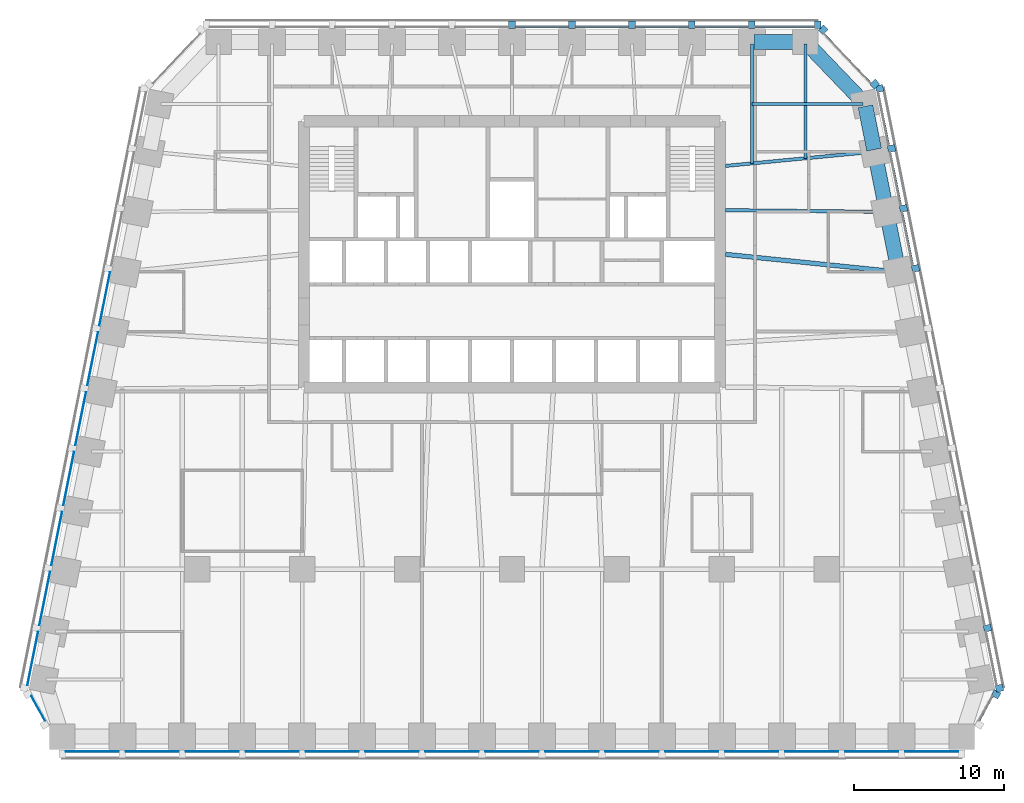
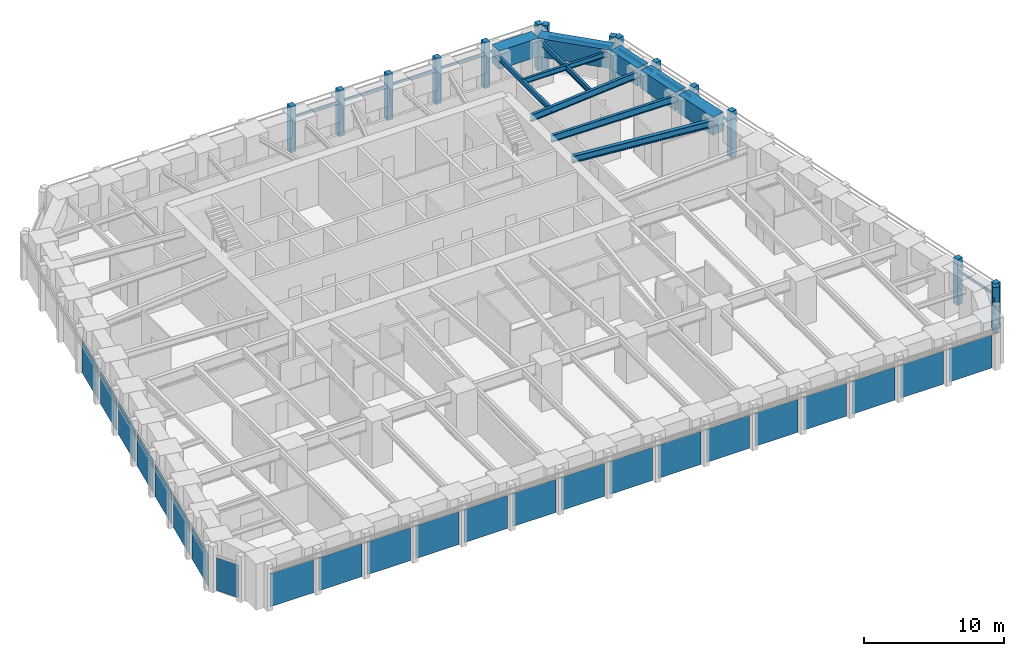
# One storey, part 4 of 10: 26 members, 23 plates, 11 beams, 7 elements without a shape of their own.
"""IFC4 building model written with IfcOpenShell, lengths in metres."""

from ifc_helpers import new_model, si_unit, direction, frame, origin, origin_2d, place, context, subcontext, project, spatial, rectangle, i_section, extrude, material, layer, layer_set, material_profile, profile_set, type_object, element, aggregate, save


model = new_model("IFC4")

# Units and contexts
model_context = context("Model", 3, precision=1e-05, world=origin(), true_north=direction((0.0, 1.0)))
body_context = subcontext(model_context, "Body", "Model", "MODEL_VIEW")
ifc_project = project(units=[si_unit("LENGTHUNIT", "METRE"), si_unit("AREAUNIT", "SQUARE_METRE"), si_unit("VOLUMEUNIT", "CUBIC_METRE"), si_unit("PLANEANGLEUNIT", "RADIAN"), si_unit("MASSUNIT", "GRAM", prefix="KILO")], contexts=[model_context])

# Site, building, storey
site_placement = place(None, origin())
site = spatial("IfcSite", under=ifc_project, at=site_placement, CompositionType="ELEMENT")
building_placement = place(site_placement, origin())
building = spatial("IfcBuilding", under=site, at=building_placement, Name="Isbrekke Arena Tower", CompositionType="ELEMENT")
storey_placement = place(building_placement, frame((0.0, 0.0, 151.0)))
storey = spatial("IfcBuildingStorey", under=building, at=storey_placement, Name="L34", CompositionType="ELEMENT", Elevation=151.0)

# Beams
ifc_material_1 = material(Name="Steel S355", Category="steel")
ifc_material_profile_1 = material_profile(ifc_material_1, i_section(OverallWidth=0.219970703125, OverallDepth=0.60009765625, WebThickness=0.011962890625, FlangeThickness=0.01904296875, FilletRadius=0.02392578125, at=origin_2d()), Name="IPE 600")
ifc_profile_set_1 = profile_set([ifc_material_profile_1], Name="Steel S355")
beam_type_1 = type_object("IfcBeamType", Name="B1 IPE 600", PredefinedType="BEAM", material=ifc_profile_set_1)
beam_1_placement = place(storey_placement, frame((24.83984375, 17.838134765625, 3.550048828125), z_axis=(-0.999944260169, 0.010558245831, 0.0), x_axis=(-0.010558245831, -0.999944260169, 0.0)))
element("IfcBeam", 1, at=beam_1_placement, inside=storey, type_object=beam_type_1, Name="B1 beam E-E09 L34", PredefinedType="BEAM", context=body_context, shape_type="SweptSolid", body=[
    extrude(i_section(OverallWidth=0.219970703125, OverallDepth=0.60009765625, WebThickness=0.011962890625, FlangeThickness=0.01904296875, FilletRadius=0.02392578125, at=origin_2d()), origin(), (0.0, 0.0, 1.0), 10.59033203125),
])
beam_2_placement = place(storey_placement, frame((24.030517578125, 21.837158203125, 3.550048828125), z_axis=(-0.995439798606, -0.095391862082, 0.0), x_axis=(0.095391862082, -0.995439798606, 0.0)))
element("IfcBeam", 2, at=beam_2_placement, inside=storey, type_object=beam_type_1, Name="B1 beam E-E10 L34", PredefinedType="BEAM", context=body_context, shape_type="SweptSolid", body=[
    extrude(i_section(OverallWidth=0.219970703125, OverallDepth=0.60009765625, WebThickness=0.011962890625, FlangeThickness=0.01904296875, FilletRadius=0.02392578125, at=origin_2d()), origin(), (0.0, 0.0, 1.0), 9.825439453125),
])
ifc_material_2 = material(Name="Steel S355", Category="steel")
ifc_material_profile_2 = material_profile(ifc_material_2, i_section(OverallWidth=0.18994140625, OverallDepth=0.449951171875, WebThickness=0.009521484375, FlangeThickness=0.0146484375, FilletRadius=0.02099609375, at=origin_2d()), Name="IPE 450")
ifc_profile_set_2 = profile_set([ifc_material_profile_2], Name="Steel S355")
beam_type_2 = type_object("IfcBeamType", Name="B2 IPE 450", PredefinedType="BEAM", material=ifc_profile_set_2)
beam_3_placement = place(storey_placement, frame((23.40283203125, 25.029296875, 3.625), z_axis=(-1.0, 0.0, 0.0), x_axis=(0.0, -1.0, 0.0)))
element("IfcBeam", 3, at=beam_3_placement, inside=storey, type_object=beam_type_2, Name="B2 beam E-E11 L34", PredefinedType="BEAM", context=body_context, shape_type="SweptSolid", body=[
    extrude(i_section(OverallWidth=0.18994140625, OverallDepth=0.449951171875, WebThickness=0.009521484375, FlangeThickness=0.0146484375, FilletRadius=0.02099609375, at=origin_2d()), origin(), (0.0, 0.0, 1.0), 7.40283203125),
])
ifc_material_3 = material(Name="Steel S355", Category="steel")
ifc_material_profile_3 = material_profile(ifc_material_3, i_section(OverallWidth=0.18994140625, OverallDepth=0.449951171875, WebThickness=0.009521484375, FlangeThickness=0.0146484375, FilletRadius=0.02099609375, at=origin_2d()), Name="IPE 450")
ifc_profile_set_3 = profile_set([ifc_material_profile_3], Name="Steel S355")
beam_type_3 = type_object("IfcBeamType", Name="B3 IPE 450", PredefinedType="BEAM", material=ifc_profile_set_3)
beam_4_placement = place(storey_placement, frame((19.574951171875, 29.02490234375, 3.625), z_axis=(0.0, -1.0, 0.0), x_axis=(1.0, 0.0, 0.0)))
element("IfcBeam", 4, at=beam_4_placement, inside=storey, type_object=beam_type_3, Name="B3 beam N-N01 L34", PredefinedType="BEAM", context=body_context, shape_type="SweptSolid", body=[
    extrude(i_section(OverallWidth=0.18994140625, OverallDepth=0.449951171875, WebThickness=0.009521484375, FlangeThickness=0.0146484375, FilletRadius=0.02099609375, at=origin_2d()), origin(), (0.0, 0.0, 1.0), 7.61474609375),
])
beam_5_placement = place(storey_placement, frame((16.0, 29.02490234375, 3.625), z_axis=(0.0, -1.0, 0.0), x_axis=(1.0, 0.0, 0.0)))
element("IfcBeam", 5, at=beam_5_placement, inside=storey, type_object=beam_type_3, Name="B3 beam N-N02 L34", PredefinedType="BEAM", context=body_context, shape_type="SweptSolid", body=[
    extrude(i_section(OverallWidth=0.18994140625, OverallDepth=0.449951171875, WebThickness=0.009521484375, FlangeThickness=0.0146484375, FilletRadius=0.02099609375, at=origin_2d()), origin(), (0.0, 0.0, 1.0), 7.957275390625),
])
ifc_material_4 = material(Name="Steel S355", Category="steel")
ifc_material_profile_4 = material_profile(ifc_material_4, i_section(OverallWidth=0.300048828125, OverallDepth=0.60009765625, WebThickness=0.015380859375, FlangeThickness=0.030029296875, FilletRadius=0.027099609375, at=origin_2d()), Name="HEB 600")
ifc_profile_set_4 = profile_set([ifc_material_profile_4], Name="Steel S355")
beam_type_4 = type_object("IfcBeamType", Name="B7 HEB 600", PredefinedType="BEAM", material=ifc_profile_set_4)
beam_6_placement = place(storey_placement, frame((25.6259765625, 13.83984375, 3.550048828125), z_axis=(-0.994839949319, 0.10145676537, 0.0), x_axis=(-0.10145676537, -0.994839949319, 0.0)))
element("IfcBeam", 6, at=beam_6_placement, inside=storey, type_object=beam_type_4, Name="B7 beam E-E08 L34", PredefinedType="BEAM", context=body_context, shape_type="SweptSolid", body=[
    extrude(i_section(OverallWidth=0.300048828125, OverallDepth=0.60009765625, WebThickness=0.015380859375, FlangeThickness=0.030029296875, FilletRadius=0.027099609375, at=origin_2d()), origin(), (0.0, 0.0, 1.0), 11.43505859375),
])

# Curtain wall, member
ifc_material_5 = material(Name="Glazed aluminium curtain wall", Category="aluminium")
curtain_wall_type = type_object("IfcCurtainWallType", Name="CWM TOWER CURTAIN WALL MID ZONE", PredefinedType="USERDEFINED", material=ifc_material_5)
curtain_wall_1_placement = place(storey_placement, origin())
curtain_wall_1 = element("IfcCurtainWall", 7, at=curtain_wall_1_placement, inside=storey, type_object=curtain_wall_type, Name="CWM curtain wall L34-SE", ObjectType="TOWER CURTAIN WALL MID ZONE", PredefinedType="USERDEFINED")
ifc_material_6 = material(Name="Aluminium mullion, pale brick slip cladding", Category="masonry")
ifc_material_profile_5 = material_profile(ifc_material_6, rectangle(XDim=0.449951171875, YDim=0.5, at=origin_2d()), Name="PIER 450X500")
ifc_profile_set_5 = profile_set([ifc_material_profile_5], Name="Aluminium mullion, pale brick slip cladding")
member_type_1 = type_object("IfcMemberType", Name="CWM-M PIER MULLION 450 x 500", PredefinedType="MULLION", material=ifc_profile_set_5)
member_1_placement = place(storey_placement, frame((32.296142578125, -14.34375, 0.0), z_axis=(0.0, 0.0, 1.0), x_axis=(0.481918749773, 0.876215908676, 0.0)))
member_1 = element("IfcMember", 8, at=member_1_placement, type_object=member_type_1, Name="CWM-M mullion 2", PredefinedType="MULLION", context=body_context, shape_type="SweptSolid", body=[
    extrude(rectangle(XDim=0.449951171875, YDim=0.5, at=origin_2d()), origin(), (0.0, 0.0, 1.0), 4.0),
])

# Curtain wall, members
curtain_wall_2_placement = place(storey_placement, origin())
curtain_wall_2 = element("IfcCurtainWall", 9, at=curtain_wall_2_placement, inside=storey, type_object=curtain_wall_type, Name="CWM curtain wall L34-E", ObjectType="TOWER CURTAIN WALL MID ZONE", PredefinedType="USERDEFINED")
member_2_placement = place(storey_placement, frame((32.518798828125, -13.936279296875, 0.0), z_axis=(0.0, 0.0, 1.0), x_axis=(-0.196116135138, 0.980580675691, 0.0)))
member_2 = element("IfcMember", 10, at=member_2_placement, type_object=member_type_1, Name="CWM-M mullion 1", PredefinedType="MULLION", context=body_context, shape_type="SweptSolid", body=[
    extrude(rectangle(XDim=0.449951171875, YDim=0.5, at=origin_2d()), origin(), (0.0, 0.0, 1.0), 4.0),
])
member_3_placement = place(storey_placement, frame((31.71875, -9.936279296875, 0.0), z_axis=(0.0, 0.0, 1.0), x_axis=(-0.196116135138, 0.980580675691, 0.0)))
member_3 = element("IfcMember", 11, at=member_3_placement, type_object=member_type_1, Name="CWM-M mullion 2", PredefinedType="MULLION", context=body_context, shape_type="SweptSolid", body=[
    extrude(rectangle(XDim=0.449951171875, YDim=0.5, at=origin_2d()), origin(), (0.0, 0.0, 1.0), 4.0),
])
member_4_placement = place(storey_placement, frame((26.918701171875, 14.063720703125, 0.0), z_axis=(0.0, 0.0, 1.0), x_axis=(-0.196116135138, 0.980580675691, 0.0)))
member_4 = element("IfcMember", 12, at=member_4_placement, type_object=member_type_1, Name="CWM-M mullion 8", PredefinedType="MULLION", context=body_context, shape_type="SweptSolid", body=[
    extrude(rectangle(XDim=0.449951171875, YDim=0.5, at=origin_2d()), origin(), (0.0, 0.0, 1.0), 4.0),
])
member_5_placement = place(storey_placement, frame((26.11865234375, 18.063720703125, 0.0), z_axis=(0.0, 0.0, 1.0), x_axis=(-0.196116135138, 0.980580675691, 0.0)))
member_5 = element("IfcMember", 13, at=member_5_placement, type_object=member_type_1, Name="CWM-M mullion 9", PredefinedType="MULLION", context=body_context, shape_type="SweptSolid", body=[
    extrude(rectangle(XDim=0.449951171875, YDim=0.5, at=origin_2d()), origin(), (0.0, 0.0, 1.0), 4.0),
])
member_6_placement = place(storey_placement, frame((25.318603515625, 22.063720703125, 0.0), z_axis=(0.0, 0.0, 1.0), x_axis=(-0.196116135138, 0.980580675691, 0.0)))
member_6 = element("IfcMember", 14, at=member_6_placement, type_object=member_type_1, Name="CWM-M mullion 10", PredefinedType="MULLION", context=body_context, shape_type="SweptSolid", body=[
    extrude(rectangle(XDim=0.449951171875, YDim=0.5, at=origin_2d()), origin(), (0.0, 0.0, 1.0), 4.0),
])
member_7_placement = place(storey_placement, frame((24.518798828125, 26.063720703125, 0.0), z_axis=(0.0, 0.0, 1.0), x_axis=(-0.196116135138, 0.980580675691, 0.0)))
member_7 = element("IfcMember", 15, at=member_7_placement, type_object=member_type_1, Name="CWM-M mullion 11", PredefinedType="MULLION", context=body_context, shape_type="SweptSolid", body=[
    extrude(rectangle(XDim=0.449951171875, YDim=0.5, at=origin_2d()), origin(), (0.0, 0.0, 1.0), 4.0),
])

curtain_wall_3_placement = place(storey_placement, origin())
curtain_wall_3 = element("IfcCurtainWall", 16, at=curtain_wall_3_placement, inside=storey, type_object=curtain_wall_type, Name="CWM curtain wall L34-EN", ObjectType="TOWER CURTAIN WALL MID ZONE", PredefinedType="USERDEFINED")
member_8_placement = place(storey_placement, frame((24.208251953125, 26.354248046875, 0.0), z_axis=(0.0, 0.0, 1.0), x_axis=(-0.68874946192, 0.72499943359, 0.0)))
member_8 = element("IfcMember", 17, at=member_8_placement, type_object=member_type_1, Name="CWM-M mullion 1", PredefinedType="MULLION", context=body_context, shape_type="SweptSolid", body=[
    extrude(rectangle(XDim=0.449951171875, YDim=0.5, at=origin_2d()), origin(), (0.0, 0.0, 1.0), 4.0),
])
member_9_placement = place(storey_placement, frame((20.7587890625, 29.9853515625, 0.0), z_axis=(0.0, 0.0, 1.0), x_axis=(-0.68874946192, 0.72499943359, 0.0)))
member_9 = element("IfcMember", 18, at=member_9_placement, type_object=member_type_1, Name="CWM-M mullion 2", PredefinedType="MULLION", context=body_context, shape_type="SweptSolid", body=[
    extrude(rectangle(XDim=0.449951171875, YDim=0.5, at=origin_2d()), origin(), (0.0, 0.0, 1.0), 4.0),
])

curtain_wall_4_placement = place(storey_placement, origin())
curtain_wall_4 = element("IfcCurtainWall", 19, at=curtain_wall_4_placement, inside=storey, type_object=curtain_wall_type, Name="CWM curtain wall L34-N", ObjectType="TOWER CURTAIN WALL MID ZONE", PredefinedType="USERDEFINED")
member_10_placement = place(storey_placement, frame((20.39990234375, 30.324951171875, 0.0), z_axis=(0.0, 0.0, 1.0), x_axis=(-1.0, 0.0, 0.0)))
member_10 = element("IfcMember", 20, at=member_10_placement, type_object=member_type_1, Name="CWM-M mullion 1", PredefinedType="MULLION", context=body_context, shape_type="SweptSolid", body=[
    extrude(rectangle(XDim=0.449951171875, YDim=0.5, at=origin_2d()), origin(), (0.0, 0.0, 1.0), 4.0),
])
member_11_placement = place(storey_placement, frame((16.0, 30.324951171875, 0.0), z_axis=(0.0, 0.0, 1.0), x_axis=(-1.0, 0.0, 0.0)))
member_11 = element("IfcMember", 21, at=member_11_placement, type_object=member_type_1, Name="CWM-M mullion 2", PredefinedType="MULLION", context=body_context, shape_type="SweptSolid", body=[
    extrude(rectangle(XDim=0.449951171875, YDim=0.5, at=origin_2d()), origin(), (0.0, 0.0, 1.0), 4.0),
])
member_12_placement = place(storey_placement, frame((12.0, 30.324951171875, 0.0), z_axis=(0.0, 0.0, 1.0), x_axis=(-1.0, 0.0, 0.0)))
member_12 = element("IfcMember", 22, at=member_12_placement, type_object=member_type_1, Name="CWM-M mullion 3", PredefinedType="MULLION", context=body_context, shape_type="SweptSolid", body=[
    extrude(rectangle(XDim=0.449951171875, YDim=0.5, at=origin_2d()), origin(), (0.0, 0.0, 1.0), 4.0),
])
member_13_placement = place(storey_placement, frame((8.0, 30.324951171875, 0.0), z_axis=(0.0, 0.0, 1.0), x_axis=(-1.0, 0.0, 0.0)))
member_13 = element("IfcMember", 23, at=member_13_placement, type_object=member_type_1, Name="CWM-M mullion 4", PredefinedType="MULLION", context=body_context, shape_type="SweptSolid", body=[
    extrude(rectangle(XDim=0.449951171875, YDim=0.5, at=origin_2d()), origin(), (0.0, 0.0, 1.0), 4.0),
])
member_14_placement = place(storey_placement, frame((4.0, 30.324951171875, 0.0), z_axis=(0.0, 0.0, 1.0), x_axis=(-1.0, 0.0, 0.0)))
member_14 = element("IfcMember", 24, at=member_14_placement, type_object=member_type_1, Name="CWM-M mullion 5", PredefinedType="MULLION", context=body_context, shape_type="SweptSolid", body=[
    extrude(rectangle(XDim=0.449951171875, YDim=0.5, at=origin_2d()), origin(), (0.0, 0.0, 1.0), 4.0),
])
member_15_placement = place(storey_placement, frame((0.0, 30.324951171875, 0.0), z_axis=(0.0, 0.0, 1.0), x_axis=(-1.0, 0.0, 0.0)))
member_15 = element("IfcMember", 25, at=member_15_placement, type_object=member_type_1, Name="CWM-M mullion 6", PredefinedType="MULLION", context=body_context, shape_type="SweptSolid", body=[
    extrude(rectangle(XDim=0.449951171875, YDim=0.5, at=origin_2d()), origin(), (0.0, 0.0, 1.0), 4.0),
])

# Member
ifc_material_7 = material(Name="Aluminium transom", Category="aluminium")
ifc_material_profile_6 = material_profile(ifc_material_7, rectangle(XDim=0.1201171875, YDim=0.199951171875, at=origin_2d()), Name="TRANSOM 120X200")
ifc_profile_set_6 = profile_set([ifc_material_profile_6], Name="Aluminium transom")
member_type_2 = type_object("IfcMemberType", Name="CWM-T TRANSOM 120 x 200", PredefinedType="USERDEFINED", material=ifc_profile_set_6)
member_16_placement = place(storey_placement, frame((31.152099609375, -16.112548828125, 3.0), z_axis=(0.482003669577, 0.876169197424, 0.0), x_axis=(-0.876169197424, 0.482003669577, 0.0)))
member_16 = element("IfcMember", 26, at=member_16_placement, type_object=member_type_2, Name="CWM-T transom 1", ObjectType="TRANSOM", PredefinedType="USERDEFINED", context=body_context, shape_type="SweptSolid", body=[
    extrude(rectangle(XDim=0.1201171875, YDim=0.199951171875, at=origin_2d()), origin(), (0.0, 0.0, 1.0), 1.876220703125),
])

aggregate(curtain_wall_1, [member_1, member_16])

member_17_placement = place(storey_placement, frame((32.327392578125, -13.7451171875, 3.0), z_axis=(-0.196090262229, 0.980585849918, 0.0), x_axis=(-0.980585849918, -0.196090262229, 0.0)))
member_17 = element("IfcMember", 27, at=member_17_placement, type_object=member_type_2, Name="CWM-T transom 1", ObjectType="TRANSOM", PredefinedType="USERDEFINED", context=body_context, shape_type="SweptSolid", body=[
    extrude(rectangle(XDim=0.1201171875, YDim=0.199951171875, at=origin_2d()), origin(), (0.0, 0.0, 1.0), 3.62939453125),
])

member_18_placement = place(storey_placement, frame((26.7275390625, 14.2548828125, 3.0), z_axis=(-0.196154943734, 0.980572913173, 0.0), x_axis=(-0.980572913173, -0.196154943734, 0.0)))
member_18 = element("IfcMember", 28, at=member_18_placement, type_object=member_type_2, Name="CWM-T transom 8", ObjectType="TRANSOM", PredefinedType="USERDEFINED", context=body_context, shape_type="SweptSolid", body=[
    extrude(rectangle(XDim=0.1201171875, YDim=0.199951171875, at=origin_2d()), origin(), (0.0, 0.0, 1.0), 3.62939453125),
])

member_19_placement = place(storey_placement, frame((25.927490234375, 18.2548828125, 3.0), z_axis=(-0.196090262229, 0.980585849918, 0.0), x_axis=(-0.980585849918, -0.196090262229, 0.0)))
member_19 = element("IfcMember", 29, at=member_19_placement, type_object=member_type_2, Name="CWM-T transom 9", ObjectType="TRANSOM", PredefinedType="USERDEFINED", context=body_context, shape_type="SweptSolid", body=[
    extrude(rectangle(XDim=0.1201171875, YDim=0.199951171875, at=origin_2d()), origin(), (0.0, 0.0, 1.0), 3.62939453125),
])

member_20_placement = place(storey_placement, frame((25.12744140625, 22.2548828125, 3.0), z_axis=(-0.196090262229, 0.980585849918, 0.0), x_axis=(-0.980585849918, -0.196090262229, 0.0)))
member_20 = element("IfcMember", 30, at=member_20_placement, type_object=member_type_2, Name="CWM-T transom 10", ObjectType="TRANSOM", PredefinedType="USERDEFINED", context=body_context, shape_type="SweptSolid", body=[
    extrude(rectangle(XDim=0.1201171875, YDim=0.199951171875, at=origin_2d()), origin(), (0.0, 0.0, 1.0), 3.62939453125),
])

aggregate(curtain_wall_2, [member_2, member_3, member_4, member_5, member_6, member_7, member_17, member_18, member_19, member_20])

member_21_placement = place(storey_placement, frame((23.944580078125, 26.4140625, 3.0), z_axis=(-0.688771983213, 0.724978037696, 0.0), x_axis=(-0.724978037696, -0.688771983213, 0.0)))
member_21 = element("IfcMember", 31, at=member_21_placement, type_object=member_type_2, Name="CWM-T transom 1", ObjectType="TRANSOM", PredefinedType="USERDEFINED", context=body_context, shape_type="SweptSolid", body=[
    extrude(rectangle(XDim=0.1201171875, YDim=0.199951171875, at=origin_2d()), origin(), (0.0, 0.0, 1.0), 4.558349609375),
])

aggregate(curtain_wall_3, [member_8, member_9, member_21])

member_22_placement = place(storey_placement, frame((20.175048828125, 30.175048828125, 3.0), z_axis=(-1.0, 0.0, 0.0), x_axis=(0.0, -1.0, 0.0)))
member_22 = element("IfcMember", 32, at=member_22_placement, type_object=member_type_2, Name="CWM-T transom 1", ObjectType="TRANSOM", PredefinedType="USERDEFINED", context=body_context, shape_type="SweptSolid", body=[
    extrude(rectangle(XDim=0.1201171875, YDim=0.199951171875, at=origin_2d()), origin(), (0.0, 0.0, 1.0), 3.949951171875),
])

member_23_placement = place(storey_placement, frame((15.77490234375, 30.175048828125, 3.0), z_axis=(-1.0, 0.0, 0.0), x_axis=(0.0, -1.0, 0.0)))
member_23 = element("IfcMember", 33, at=member_23_placement, type_object=member_type_2, Name="CWM-T transom 2", ObjectType="TRANSOM", PredefinedType="USERDEFINED", context=body_context, shape_type="SweptSolid", body=[
    extrude(rectangle(XDim=0.1201171875, YDim=0.199951171875, at=origin_2d()), origin(), (0.0, 0.0, 1.0), 3.5498046875),
])

member_24_placement = place(storey_placement, frame((11.77490234375, 30.175048828125, 3.0), z_axis=(-1.0, 0.0, 0.0), x_axis=(0.0, -1.0, 0.0)))
member_24 = element("IfcMember", 34, at=member_24_placement, type_object=member_type_2, Name="CWM-T transom 3", ObjectType="TRANSOM", PredefinedType="USERDEFINED", context=body_context, shape_type="SweptSolid", body=[
    extrude(rectangle(XDim=0.1201171875, YDim=0.199951171875, at=origin_2d()), origin(), (0.0, 0.0, 1.0), 3.5498046875),
])

member_25_placement = place(storey_placement, frame((7.77490234375, 30.175048828125, 3.0), z_axis=(-1.0, 0.0, 0.0), x_axis=(0.0, -1.0, 0.0)))
member_25 = element("IfcMember", 35, at=member_25_placement, type_object=member_type_2, Name="CWM-T transom 4", ObjectType="TRANSOM", PredefinedType="USERDEFINED", context=body_context, shape_type="SweptSolid", body=[
    extrude(rectangle(XDim=0.1201171875, YDim=0.199951171875, at=origin_2d()), origin(), (0.0, 0.0, 1.0), 3.5498046875),
])

member_26_placement = place(storey_placement, frame((3.77490234375, 30.175048828125, 3.0), z_axis=(-1.0, 0.0, 0.0), x_axis=(0.0, -1.0, 0.0)))
member_26 = element("IfcMember", 36, at=member_26_placement, type_object=member_type_2, Name="CWM-T transom 5", ObjectType="TRANSOM", PredefinedType="USERDEFINED", context=body_context, shape_type="SweptSolid", body=[
    extrude(rectangle(XDim=0.1201171875, YDim=0.199951171875, at=origin_2d()), origin(), (0.0, 0.0, 1.0), 3.5498046875),
])

aggregate(curtain_wall_4, [member_10, member_11, member_12, member_13, member_14, member_15, member_22, member_23, member_24, member_25, member_26])

# Beams
ifc_material_8 = material(Name="Concrete B80 (C80/95)", Category="concrete")
ifc_material_profile_7 = material_profile(ifc_material_8, rectangle(XDim=1.0, YDim=1.60009765625, at=origin_2d()), Name="RC 1000x1600")
ifc_profile_set_7 = profile_set([ifc_material_profile_7], Name="Concrete B80 (C80/95)")
beam_type_5 = type_object("IfcBeamType", Name="SB2 RC 1000 x 1600", PredefinedType="SPANDREL", material=ifc_profile_set_7)
for number, where, z_axis, x_axis, name in (
    (37, (25.76171875, 13.9853515625, 3.199951171875), (-0.196128558387, 0.980578190959, 0.0), (-0.980578190959, -0.196128558387, 0.0), "SB2 spandrel E08-E09 L34"),
    (38, (24.961669921875, 17.9853515625, 3.199951171875), (-0.196128558387, 0.980578190959, 0.0), (-0.980578190959, -0.196128558387, 0.0), "SB2 spandrel E09-E10 L34"),
):
    element("IfcBeam", number, at=place(storey_placement, frame(where, z_axis=z_axis, x_axis=x_axis)), inside=storey, type_object=beam_type_5, Name=name, PredefinedType="SPANDREL", context=body_context, shape_type="SweptSolid", body=[
        extrude(rectangle(XDim=1.0, YDim=1.60009765625, at=origin_2d()), origin(), (0.0, 0.0, 1.0), 3.779296875),
    ])
beam_7_placement = place(storey_placement, frame((24.16162109375, 21.9853515625, 3.199951171875), z_axis=(-0.196116135138, 0.980580675691, 0.0), x_axis=(-0.980580675691, -0.196116135138, 0.0)))
element("IfcBeam", 39, at=beam_7_placement, inside=storey, type_object=beam_type_5, Name="SB2 spandrel E10-E11 L34", PredefinedType="SPANDREL", context=body_context, shape_type="SweptSolid", body=[
    extrude(rectangle(XDim=1.0, YDim=1.60009765625, at=origin_2d()), origin(), (0.0, 0.0, 1.0), 2.9541015625),
])
beam_8_placement = place(storey_placement, frame((23.448974609375, 25.137451171875, 3.199951171875), z_axis=(-0.692339547635, 0.721571861134, 0.0), x_axis=(-0.721571861134, -0.692339547635, 0.0)))
element("IfcBeam", 40, at=beam_8_placement, inside=storey, type_object=beam_type_5, Name="SB2 spandrel E11-N01 L34", PredefinedType="SPANDREL", context=body_context, shape_type="SweptSolid", body=[
    extrude(rectangle(XDim=1.0, YDim=1.60009765625, at=origin_2d()), origin(), (0.0, 0.0, 1.0), 5.4453125),
])
beam_9_placement = place(storey_placement, frame((19.425048828125, 29.175048828125, 3.199951171875), z_axis=(-1.0, 0.0, 0.0), x_axis=(0.0, -1.0, 0.0)))
element("IfcBeam", 41, at=beam_9_placement, inside=storey, type_object=beam_type_5, Name="SB2 spandrel N01-N02 L34", PredefinedType="SPANDREL", context=body_context, shape_type="SweptSolid", body=[
    extrude(rectangle(XDim=1.0, YDim=1.60009765625, at=origin_2d()), origin(), (0.0, 0.0, 1.0), 3.275146484375),
])

# Curtain wall, plates
curtain_wall_5_placement = place(storey_placement, origin())
curtain_wall_5 = element("IfcCurtainWall", 42, at=curtain_wall_5_placement, inside=storey, type_object=curtain_wall_type, Name="CWM curtain wall L34-S", ObjectType="TOWER CURTAIN WALL MID ZONE", PredefinedType="USERDEFINED")
ifc_material_9 = material(Name="Triple-glazed clear glass unit", Category="glass")
ifc_layer = layer(ifc_material_9, 0.031982421875)
ifc_layer_set = layer_set([ifc_layer], Name="CWM-P VISION PANEL")
plate_type = type_object("IfcPlateType", Name="CWM-P VISION PANEL", PredefinedType="CURTAIN_PANEL", material=ifc_layer_set)
plate_1_placement = place(storey_placement, frame((-28.0, -18.175048828125, 0.02001953125), z_axis=(0.0, 0.0, 1.0), x_axis=(1.0, 0.0, 0.0)))
plate_1 = element("IfcPlate", 43, at=plate_1_placement, type_object=plate_type, Name="CWM-P panel 1", PredefinedType="CURTAIN_PANEL", context=body_context, shape_type="SweptSolid", body=[
    extrude(rectangle(XDim=3.550048828125, YDim=0.031982421875, at=origin_2d()), origin(), (0.0, 0.0, 1.0), 2.8798828125),
])
plate_2_placement = place(storey_placement, frame((-24.0, -18.175048828125, 0.02001953125), z_axis=(0.0, 0.0, 1.0), x_axis=(1.0, 0.0, 0.0)))
plate_2 = element("IfcPlate", 44, at=plate_2_placement, type_object=plate_type, Name="CWM-P panel 2", PredefinedType="CURTAIN_PANEL", context=body_context, shape_type="SweptSolid", body=[
    extrude(rectangle(XDim=3.550048828125, YDim=0.031982421875, at=origin_2d()), origin(), (0.0, 0.0, 1.0), 2.8798828125),
])
plate_3_placement = place(storey_placement, frame((-20.0, -18.175048828125, 0.02001953125), z_axis=(0.0, 0.0, 1.0), x_axis=(1.0, 0.0, 0.0)))
plate_3 = element("IfcPlate", 45, at=plate_3_placement, type_object=plate_type, Name="CWM-P panel 3", PredefinedType="CURTAIN_PANEL", context=body_context, shape_type="SweptSolid", body=[
    extrude(rectangle(XDim=3.550048828125, YDim=0.031982421875, at=origin_2d()), origin(), (0.0, 0.0, 1.0), 2.8798828125),
])
plate_4_placement = place(storey_placement, frame((-16.0, -18.175048828125, 0.02001953125), z_axis=(0.0, 0.0, 1.0), x_axis=(1.0, 0.0, 0.0)))
plate_4 = element("IfcPlate", 46, at=plate_4_placement, type_object=plate_type, Name="CWM-P panel 4", PredefinedType="CURTAIN_PANEL", context=body_context, shape_type="SweptSolid", body=[
    extrude(rectangle(XDim=3.550048828125, YDim=0.031982421875, at=origin_2d()), origin(), (0.0, 0.0, 1.0), 2.8798828125),
])
plate_5_placement = place(storey_placement, frame((-12.0, -18.175048828125, 0.02001953125), z_axis=(0.0, 0.0, 1.0), x_axis=(1.0, 0.0, 0.0)))
plate_5 = element("IfcPlate", 47, at=plate_5_placement, type_object=plate_type, Name="CWM-P panel 5", PredefinedType="CURTAIN_PANEL", context=body_context, shape_type="SweptSolid", body=[
    extrude(rectangle(XDim=3.550048828125, YDim=0.031982421875, at=origin_2d()), origin(), (0.0, 0.0, 1.0), 2.8798828125),
])
plate_6_placement = place(storey_placement, frame((-8.0, -18.175048828125, 0.02001953125), z_axis=(0.0, 0.0, 1.0), x_axis=(1.0, 0.0, 0.0)))
plate_6 = element("IfcPlate", 48, at=plate_6_placement, type_object=plate_type, Name="CWM-P panel 6", PredefinedType="CURTAIN_PANEL", context=body_context, shape_type="SweptSolid", body=[
    extrude(rectangle(XDim=3.550048828125, YDim=0.031982421875, at=origin_2d()), origin(), (0.0, 0.0, 1.0), 2.8798828125),
])
plate_7_placement = place(storey_placement, frame((-4.0, -18.175048828125, 0.02001953125), z_axis=(0.0, 0.0, 1.0), x_axis=(1.0, 0.0, 0.0)))
plate_7 = element("IfcPlate", 49, at=plate_7_placement, type_object=plate_type, Name="CWM-P panel 7", PredefinedType="CURTAIN_PANEL", context=body_context, shape_type="SweptSolid", body=[
    extrude(rectangle(XDim=3.550048828125, YDim=0.031982421875, at=origin_2d()), origin(), (0.0, 0.0, 1.0), 2.8798828125),
])
plate_8_placement = place(storey_placement, frame((0.0, -18.175048828125, 0.02001953125), z_axis=(0.0, 0.0, 1.0), x_axis=(1.0, 0.0, 0.0)))
plate_8 = element("IfcPlate", 50, at=plate_8_placement, type_object=plate_type, Name="CWM-P panel 8", PredefinedType="CURTAIN_PANEL", context=body_context, shape_type="SweptSolid", body=[
    extrude(rectangle(XDim=3.550048828125, YDim=0.031982421875, at=origin_2d()), origin(), (0.0, 0.0, 1.0), 2.8798828125),
])
plate_9_placement = place(storey_placement, frame((4.0, -18.175048828125, 0.02001953125), z_axis=(0.0, 0.0, 1.0), x_axis=(1.0, 0.0, 0.0)))
plate_9 = element("IfcPlate", 51, at=plate_9_placement, type_object=plate_type, Name="CWM-P panel 9", PredefinedType="CURTAIN_PANEL", context=body_context, shape_type="SweptSolid", body=[
    extrude(rectangle(XDim=3.550048828125, YDim=0.031982421875, at=origin_2d()), origin(), (0.0, 0.0, 1.0), 2.8798828125),
])
plate_10_placement = place(storey_placement, frame((8.0, -18.175048828125, 0.02001953125), z_axis=(0.0, 0.0, 1.0), x_axis=(1.0, 0.0, 0.0)))
plate_10 = element("IfcPlate", 52, at=plate_10_placement, type_object=plate_type, Name="CWM-P panel 10", PredefinedType="CURTAIN_PANEL", context=body_context, shape_type="SweptSolid", body=[
    extrude(rectangle(XDim=3.550048828125, YDim=0.031982421875, at=origin_2d()), origin(), (0.0, 0.0, 1.0), 2.8798828125),
])
plate_11_placement = place(storey_placement, frame((12.0, -18.175048828125, 0.02001953125), z_axis=(0.0, 0.0, 1.0), x_axis=(1.0, 0.0, 0.0)))
plate_11 = element("IfcPlate", 53, at=plate_11_placement, type_object=plate_type, Name="CWM-P panel 11", PredefinedType="CURTAIN_PANEL", context=body_context, shape_type="SweptSolid", body=[
    extrude(rectangle(XDim=3.550048828125, YDim=0.031982421875, at=origin_2d()), origin(), (0.0, 0.0, 1.0), 2.8798828125),
])
plate_12_placement = place(storey_placement, frame((16.0, -18.175048828125, 0.02001953125), z_axis=(0.0, 0.0, 1.0), x_axis=(1.0, 0.0, 0.0)))
plate_12 = element("IfcPlate", 54, at=plate_12_placement, type_object=plate_type, Name="CWM-P panel 12", PredefinedType="CURTAIN_PANEL", context=body_context, shape_type="SweptSolid", body=[
    extrude(rectangle(XDim=3.550048828125, YDim=0.031982421875, at=origin_2d()), origin(), (0.0, 0.0, 1.0), 2.8798828125),
])
plate_13_placement = place(storey_placement, frame((20.0, -18.175048828125, 0.02001953125), z_axis=(0.0, 0.0, 1.0), x_axis=(1.0, 0.0, 0.0)))
plate_13 = element("IfcPlate", 55, at=plate_13_placement, type_object=plate_type, Name="CWM-P panel 13", PredefinedType="CURTAIN_PANEL", context=body_context, shape_type="SweptSolid", body=[
    extrude(rectangle(XDim=3.550048828125, YDim=0.031982421875, at=origin_2d()), origin(), (0.0, 0.0, 1.0), 2.8798828125),
])
plate_14_placement = place(storey_placement, frame((24.0, -18.175048828125, 0.02001953125), z_axis=(0.0, 0.0, 1.0), x_axis=(1.0, 0.0, 0.0)))
plate_14 = element("IfcPlate", 56, at=plate_14_placement, type_object=plate_type, Name="CWM-P panel 14", PredefinedType="CURTAIN_PANEL", context=body_context, shape_type="SweptSolid", body=[
    extrude(rectangle(XDim=3.550048828125, YDim=0.031982421875, at=origin_2d()), origin(), (0.0, 0.0, 1.0), 2.8798828125),
])
plate_15_placement = place(storey_placement, frame((28.0, -18.175048828125, 0.02001953125), z_axis=(0.0, 0.0, 1.0), x_axis=(1.0, 0.0, 0.0)))
plate_15 = element("IfcPlate", 57, at=plate_15_placement, type_object=plate_type, Name="CWM-P panel 15", PredefinedType="CURTAIN_PANEL", context=body_context, shape_type="SweptSolid", body=[
    extrude(rectangle(XDim=3.550048828125, YDim=0.031982421875, at=origin_2d()), origin(), (0.0, 0.0, 1.0), 2.8798828125),
])
aggregate(curtain_wall_5, [plate_1, plate_2, plate_3, plate_4, plate_5, plate_6, plate_7, plate_8, plate_9, plate_10, plate_11, plate_12, plate_13, plate_14, plate_15])

curtain_wall_6_placement = place(storey_placement, origin())
curtain_wall_6 = element("IfcCurtainWall", 58, at=curtain_wall_6_placement, inside=storey, type_object=curtain_wall_type, Name="CWM curtain wall L34-W", ObjectType="TOWER CURTAIN WALL MID ZONE", PredefinedType="USERDEFINED")
plate_16_placement = place(storey_placement, frame((-27.171630859375, 12.034423828125, 0.02001953125), z_axis=(0.0, 0.0, 1.0), x_axis=(-0.196116135138, -0.980580675691, 0.0)))
plate_16 = element("IfcPlate", 59, at=plate_16_placement, type_object=plate_type, Name="CWM-P panel 4", PredefinedType="CURTAIN_PANEL", context=body_context, shape_type="SweptSolid", body=[
    extrude(rectangle(XDim=3.629150390625, YDim=0.031982421875, at=origin_2d()), origin(), (0.0, 0.0, 1.0), 2.8798828125),
])
plate_17_placement = place(storey_placement, frame((-27.9716796875, 8.034423828125, 0.02001953125), z_axis=(0.0, 0.0, 1.0), x_axis=(-0.196116135138, -0.980580675691, 0.0)))
plate_17 = element("IfcPlate", 60, at=plate_17_placement, type_object=plate_type, Name="CWM-P panel 5", PredefinedType="CURTAIN_PANEL", context=body_context, shape_type="SweptSolid", body=[
    extrude(rectangle(XDim=3.629150390625, YDim=0.031982421875, at=origin_2d()), origin(), (0.0, 0.0, 1.0), 2.8798828125),
])
plate_18_placement = place(storey_placement, frame((-28.771484375, 4.034423828125, 0.02001953125), z_axis=(0.0, 0.0, 1.0), x_axis=(-0.196116135138, -0.980580675691, 0.0)))
plate_18 = element("IfcPlate", 61, at=plate_18_placement, type_object=plate_type, Name="CWM-P panel 6", PredefinedType="CURTAIN_PANEL", context=body_context, shape_type="SweptSolid", body=[
    extrude(rectangle(XDim=3.629150390625, YDim=0.031982421875, at=origin_2d()), origin(), (0.0, 0.0, 1.0), 2.8798828125),
])
plate_19_placement = place(storey_placement, frame((-29.571533203125, 0.034423828125, 0.02001953125), z_axis=(0.0, 0.0, 1.0), x_axis=(-0.196116135138, -0.980580675691, 0.0)))
plate_19 = element("IfcPlate", 62, at=plate_19_placement, type_object=plate_type, Name="CWM-P panel 7", PredefinedType="CURTAIN_PANEL", context=body_context, shape_type="SweptSolid", body=[
    extrude(rectangle(XDim=3.629150390625, YDim=0.031982421875, at=origin_2d()), origin(), (0.0, 0.0, 1.0), 2.8798828125),
])
plate_20_placement = place(storey_placement, frame((-30.37158203125, -3.965576171875, 0.02001953125), z_axis=(0.0, 0.0, 1.0), x_axis=(-0.196116135138, -0.980580675691, 0.0)))
plate_20 = element("IfcPlate", 63, at=plate_20_placement, type_object=plate_type, Name="CWM-P panel 8", PredefinedType="CURTAIN_PANEL", context=body_context, shape_type="SweptSolid", body=[
    extrude(rectangle(XDim=3.629150390625, YDim=0.031982421875, at=origin_2d()), origin(), (0.0, 0.0, 1.0), 2.8798828125),
])
plate_21_placement = place(storey_placement, frame((-31.171630859375, -7.965576171875, 0.02001953125), z_axis=(0.0, 0.0, 1.0), x_axis=(-0.196116135138, -0.980580675691, 0.0)))
plate_21 = element("IfcPlate", 64, at=plate_21_placement, type_object=plate_type, Name="CWM-P panel 9", PredefinedType="CURTAIN_PANEL", context=body_context, shape_type="SweptSolid", body=[
    extrude(rectangle(XDim=3.629150390625, YDim=0.031982421875, at=origin_2d()), origin(), (0.0, 0.0, 1.0), 2.8798828125),
])
plate_22_placement = place(storey_placement, frame((-31.9716796875, -11.965576171875, 0.02001953125), z_axis=(0.0, 0.0, 1.0), x_axis=(-0.196116135138, -0.980580675691, 0.0)))
plate_22 = element("IfcPlate", 65, at=plate_22_placement, type_object=plate_type, Name="CWM-P panel 10", PredefinedType="CURTAIN_PANEL", context=body_context, shape_type="SweptSolid", body=[
    extrude(rectangle(XDim=3.629150390625, YDim=0.031982421875, at=origin_2d()), origin(), (0.0, 0.0, 1.0), 2.8798828125),
])
aggregate(curtain_wall_6, [plate_16, plate_17, plate_18, plate_19, plate_20, plate_21, plate_22])

# Curtain wall, plate
curtain_wall_7_placement = place(storey_placement, origin())
curtain_wall_7 = element("IfcCurtainWall", 66, at=curtain_wall_7_placement, inside=storey, type_object=curtain_wall_type, Name="CWM curtain wall L34-WS", ObjectType="TOWER CURTAIN WALL MID ZONE", PredefinedType="USERDEFINED")
plate_23_placement = place(storey_placement, frame((-31.60400390625, -15.291015625, 0.02001953125), z_axis=(0.0, 0.0, 1.0), x_axis=(0.481918749773, -0.876215908676, 0.0)))
plate_23 = element("IfcPlate", 67, at=plate_23_placement, type_object=plate_type, Name="CWM-P panel 1", PredefinedType="CURTAIN_PANEL", context=body_context, shape_type="SweptSolid", body=[
    extrude(rectangle(XDim=1.878173828125, YDim=0.031982421875, at=origin_2d()), origin(), (0.0, 0.0, 1.0), 2.8798828125),
])
aggregate(curtain_wall_7, [plate_23])

save(model, "model.ifc")
